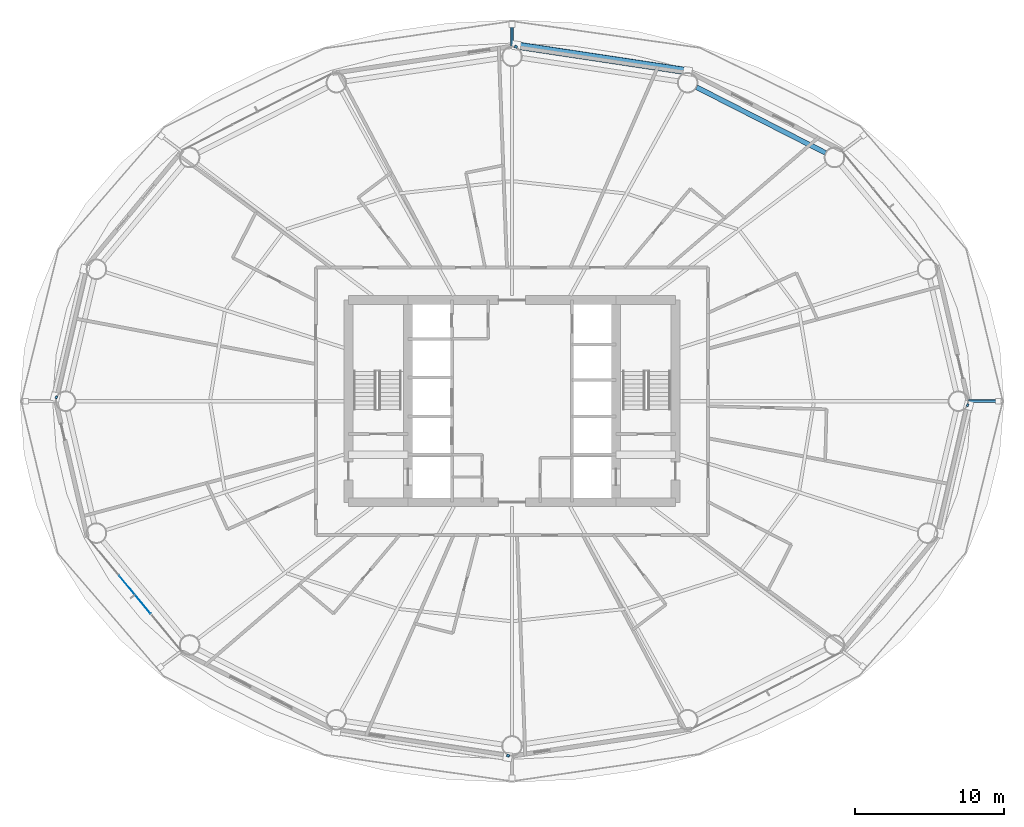
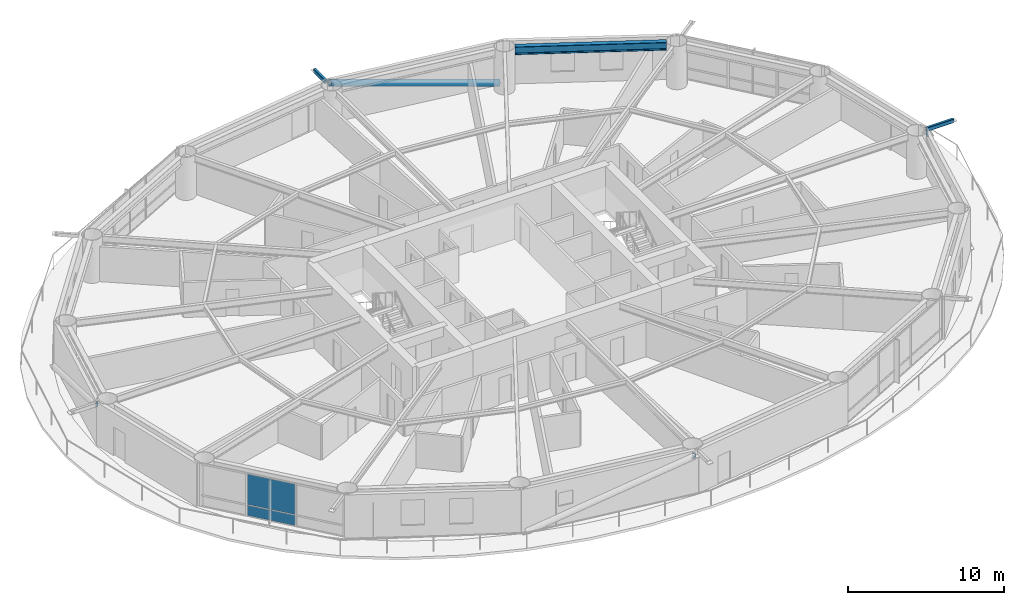
# One storey, part 15 of 26: 7 members, 2 plates, 1 beam, 1 element without a shape of its own.
"""IFC4 building model written with IfcOpenShell, lengths in metres."""

from ifc_helpers import new_model, si_unit, direction, frame, origin, origin_2d, place, context, subcontext, project, spatial, rectangle, hollow_rectangle, hollow_circle, i_section, extrude, material, layer, layer_set, material_profile, profile_set, type_object, element, aggregate, save


model = new_model("IFC4")

# Units and contexts
model_context = context("Model", 3, precision=1e-05, world=origin(), true_north=direction((0.0, 1.0)))
body_context = subcontext(model_context, "Body", "Model", "MODEL_VIEW")
ifc_project = project(units=[si_unit("LENGTHUNIT", "METRE"), si_unit("AREAUNIT", "SQUARE_METRE"), si_unit("VOLUMEUNIT", "CUBIC_METRE"), si_unit("PLANEANGLEUNIT", "RADIAN"), si_unit("MASSUNIT", "GRAM", prefix="KILO")], contexts=[model_context])

# Site, building, storey
site_placement = place(None, origin())
site = spatial("IfcSite", under=ifc_project, at=site_placement, CompositionType="ELEMENT")
building_placement = place(site_placement, origin())
building = spatial("IfcBuilding", under=site, at=building_placement, Name="Sarneth Arch Tower", CompositionType="ELEMENT")
storey_placement = place(building_placement, frame((0.0, 0.0, 39.0)))
storey = spatial("IfcBuildingStorey", under=building, at=storey_placement, Name="L08", CompositionType="ELEMENT", Elevation=39.0)

# Beam
ifc_material_1 = material(Name="Steel S355", Category="steel")
ifc_material_profile_1 = material_profile(ifc_material_1, i_section(OverallWidth=0.326904296875, OverallDepth=0.6220703125, WebThickness=0.015380859375, FlangeThickness=0.0244140625, FilletRadius=0.01904296875, at=origin_2d()), Name="W610x195")
ifc_profile_set_1 = profile_set([ifc_material_profile_1], Name="Steel S355")
beam_type = type_object("IfcBeamType", Name="BM-SPAN-610A", PredefinedType="SPANDREL", material=ifc_profile_set_1)
beam_placement = place(storey_placement, frame((69.09521484375, 58.711181640625, 3.069091796875), z_axis=(-0.8911738076, 0.453662037919, 0.0), x_axis=(-0.453662037919, -0.8911738076, 0.0)))
element("IfcBeam", 1, at=beam_placement, inside=storey, type_object=beam_type, Name="L08 Perimeter spandrel beam 03", PredefinedType="SPANDREL", context=body_context, shape_type="SweptSolid", body=[
    extrude(i_section(OverallWidth=0.326904296875, OverallDepth=0.6220703125, WebThickness=0.015380859375, FlangeThickness=0.0244140625, FilletRadius=0.01904296875, at=origin_2d()), origin(), (0.0, 0.0, 1.0), 9.735107421875),
])

# Members
ifc_material_2 = material(Name="Steel S355", Category="steel")
ifc_material_profile_2 = material_profile(ifc_material_2, hollow_rectangle(XDim=0.199951171875, YDim=0.300048828125, WallThickness=0.012451171875, InnerFilletRadius=0.018798828125, OuterFilletRadius=0.03125, at=origin_2d()), Name="RHS300x200x12.5")
ifc_profile_set_2 = profile_set([ifc_material_profile_2], Name="Steel S355")
member_type_1 = type_object("IfcMemberType", Name="MEM-CANT-STRUT", PredefinedType="STRUT", material=ifc_profile_set_2)
member_1_placement = place(storey_placement, frame((78.709716796875, 42.0, 3.219970703125), z_axis=(1.0, 0.0, 0.0), x_axis=(0.0, 1.0, 0.0)))
element("IfcMember", 2, at=member_1_placement, inside=storey, type_object=member_type_1, Name="L08 Balcony cantilever bracket 01", PredefinedType="STRUT", context=body_context, shape_type="SweptSolid", body=[
    extrude(hollow_rectangle(XDim=0.199951171875, YDim=0.300048828125, WallThickness=0.012451171875, InnerFilletRadius=0.018798828125, OuterFilletRadius=0.03125, at=origin_2d()), origin(), (0.0, 0.0, 1.0), 2.0224609375),
])
member_2_placement = place(storey_placement, frame((48.227294921875, 65.763427734375, 3.0068359375), z_axis=(0.374114534281, 0.927382507512, 0.0), x_axis=(-0.927382507512, 0.374114534281, 0.0)))
element("IfcMember", 3, at=member_2_placement, inside=storey, type_object=member_type_1, Name="L08 Exoskeleton brace node strut 04B", PredefinedType="STRUT", context=body_context, shape_type="SweptSolid", body=[
    extrude(hollow_rectangle(XDim=0.199951171875, YDim=0.300048828125, WallThickness=0.012451171875, InnerFilletRadius=0.018798828125, OuterFilletRadius=0.03125, at=origin_2d()), origin(), (0.0, 0.0, 1.0), 0.185302734375),
])
member_3_placement = place(storey_placement, frame((48.0, 65.875, 3.219970703125), z_axis=(0.0, 1.0, 0.0), x_axis=(-1.0, 0.0, 0.0)))
element("IfcMember", 4, at=member_3_placement, inside=storey, type_object=member_type_1, Name="L08 Balcony cantilever bracket 05", PredefinedType="STRUT", context=body_context, shape_type="SweptSolid", body=[
    extrude(hollow_rectangle(XDim=0.199951171875, YDim=0.300048828125, WallThickness=0.012451171875, InnerFilletRadius=0.018798828125, OuterFilletRadius=0.03125, at=origin_2d()), origin(), (0.0, 0.0, 1.0), 1.477783203125),
])
member_4_placement = place(storey_placement, frame((17.40576171875, 42.23681640625, 3.0068359375), z_axis=(-0.921085575415, 0.389360196684, 0.0), x_axis=(-0.389360196684, -0.921085575415, 0.0)))
element("IfcMember", 5, at=member_4_placement, inside=storey, type_object=member_type_1, Name="L08 Exoskeleton brace node strut 08B", PredefinedType="STRUT", context=body_context, shape_type="SweptSolid", body=[
    extrude(hollow_rectangle(XDim=0.199951171875, YDim=0.300048828125, WallThickness=0.012451171875, InnerFilletRadius=0.018798828125, OuterFilletRadius=0.03125, at=origin_2d()), origin(), (0.0, 0.0, 1.0), 0.142333984375),
])
member_5_placement = place(storey_placement, frame((47.772705078125, 18.236572265625, 3.0068359375), z_axis=(-0.374114534281, -0.927382507512, 0.0), x_axis=(0.927382507512, -0.374114534281, 0.0)))
element("IfcMember", 6, at=member_5_placement, inside=storey, type_object=member_type_1, Name="L08 Exoskeleton brace node strut 12B", PredefinedType="STRUT", context=body_context, shape_type="SweptSolid", body=[
    extrude(hollow_rectangle(XDim=0.199951171875, YDim=0.300048828125, WallThickness=0.012451171875, InnerFilletRadius=0.018798828125, OuterFilletRadius=0.03125, at=origin_2d()), origin(), (0.0, 0.0, 1.0), 0.185302734375),
])
member_6_placement = place(storey_placement, frame((78.59423828125, 41.76318359375, 3.0068359375), z_axis=(0.921085575415, -0.389360196684, 0.0), x_axis=(0.389360196684, 0.921085575415, 0.0)))
element("IfcMember", 7, at=member_6_placement, inside=storey, type_object=member_type_1, Name="L08 Exoskeleton brace node strut 16B", PredefinedType="STRUT", context=body_context, shape_type="SweptSolid", body=[
    extrude(hollow_rectangle(XDim=0.199951171875, YDim=0.300048828125, WallThickness=0.012451171875, InnerFilletRadius=0.018798828125, OuterFilletRadius=0.03125, at=origin_2d()), origin(), (0.0, 0.0, 1.0), 0.142333984375),
])
ifc_material_3 = material(Name="Steel S355", Category="steel")
ifc_material_profile_3 = material_profile(ifc_material_3, hollow_circle(Radius=0.25390625, WallThickness=0.01611328125, at=origin_2d()), Name="CHS508x16")
ifc_profile_set_3 = profile_set([ifc_material_profile_3], Name="Steel S355")
member_type_2 = type_object("IfcMemberType", Name="MEM-DIAG-BR1", PredefinedType="BRACE", material=ifc_profile_set_3)
member_7_placement = place(storey_placement, frame((59.819580078125, 64.19921875, 0.02001953125), z_axis=(-0.957875899759, 0.144316613483, 0.248287083301), x_axis=(-0.1489817545, -0.988839944999, 0.0)))
element("IfcMember", 8, at=member_7_placement, inside=storey, type_object=member_type_2, Name="L08 Perimeter frame diagonal 04", PredefinedType="BRACE", context=body_context, shape_type="SweptSolid", body=[
    extrude(hollow_circle(Radius=0.25390625, WallThickness=0.01611328125, at=origin_2d()), origin(), (0.0, 0.0, 1.0), 12.02978515625),
])

# Curtain wall, plates
ifc_material_4 = material(Name="Anodised aluminium Type AA25 and solar-control low-e laminated IGU", Category="aluminium")
ifc_layer_1 = layer(ifc_material_4, 0.159912109375)
ifc_layer_set_1 = layer_set([ifc_layer_1], Name="Anodised aluminium Type AA25 and solar-control low-e laminated IGU")
curtain_wall_type = type_object("IfcCurtainWallType", Name="CW-HOTEL-LOW", PredefinedType="NOTDEFINED", material=ifc_layer_set_1)
curtain_wall_placement = place(storey_placement, origin())
curtain_wall = element("IfcCurtainWall", 9, at=curtain_wall_placement, inside=storey, type_object=curtain_wall_type, Name="L08 Unitised curtain wall facet 10", PredefinedType="NOTDEFINED")
ifc_material_5 = material(Name="Solar-control low-e laminated IGU", Category="glass")
ifc_layer_2 = layer(ifc_material_5, 0.028076171875)
ifc_layer_set_2 = layer_set([ifc_layer_2], Name="Solar-control low-e laminated IGU")
plate_type = type_object("IfcPlateType", Name="CW-PANEL", PredefinedType="CURTAIN_PANEL", material=ifc_layer_set_2)
plate_1_placement = place(storey_placement, frame((22.62255859375, 28.98779296875, 0.06005859375), z_axis=(0.0, 0.0, 1.0), x_axis=(0.637291340827, -0.770622960278, 0.0)))
plate_1 = element("IfcPlate", 10, at=plate_1_placement, type_object=plate_type, Name="Curtain wall glazed vision pane CW-L08-F10/P01-00", PredefinedType="CURTAIN_PANEL", context=body_context, shape_type="SweptSolid", body=[
    extrude(rectangle(XDim=3.291015625, YDim=0.028076171875, at=origin_2d()), origin(), (0.0, 0.0, 1.0), 0.81005859375),
])
plate_2_placement = place(storey_placement, frame((22.62255859375, 28.98779296875, 0.93017578125), z_axis=(0.0, 0.0, 1.0), x_axis=(0.637291340827, -0.770622960278, 0.0)))
plate_2 = element("IfcPlate", 11, at=plate_2_placement, type_object=plate_type, Name="Curtain wall glazed vision pane CW-L08-F10/P01-01", PredefinedType="CURTAIN_PANEL", context=body_context, shape_type="SweptSolid", body=[
    extrude(rectangle(XDim=3.291015625, YDim=0.028076171875, at=origin_2d()), origin(), (0.0, 0.0, 1.0), 2.389892578125),
])
aggregate(curtain_wall, [plate_1, plate_2])

save(model, "model.ifc")
